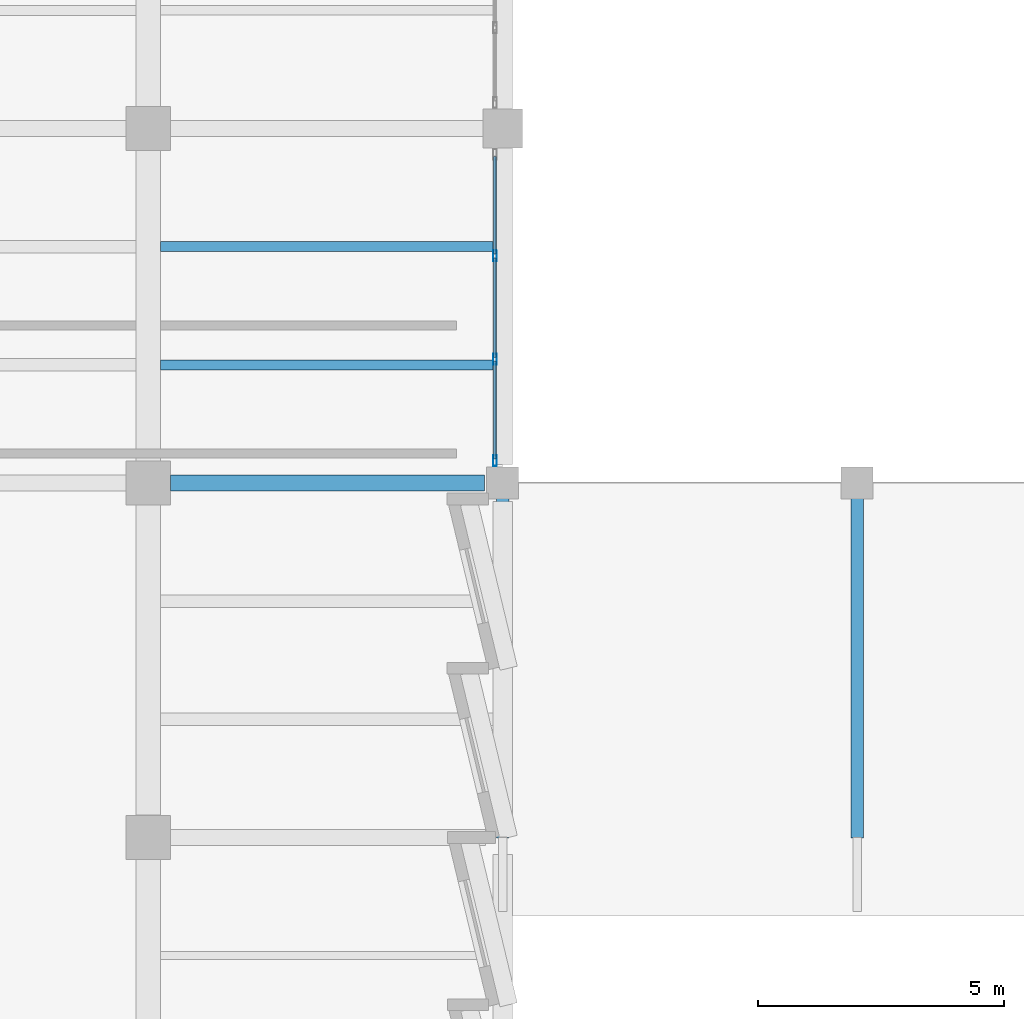
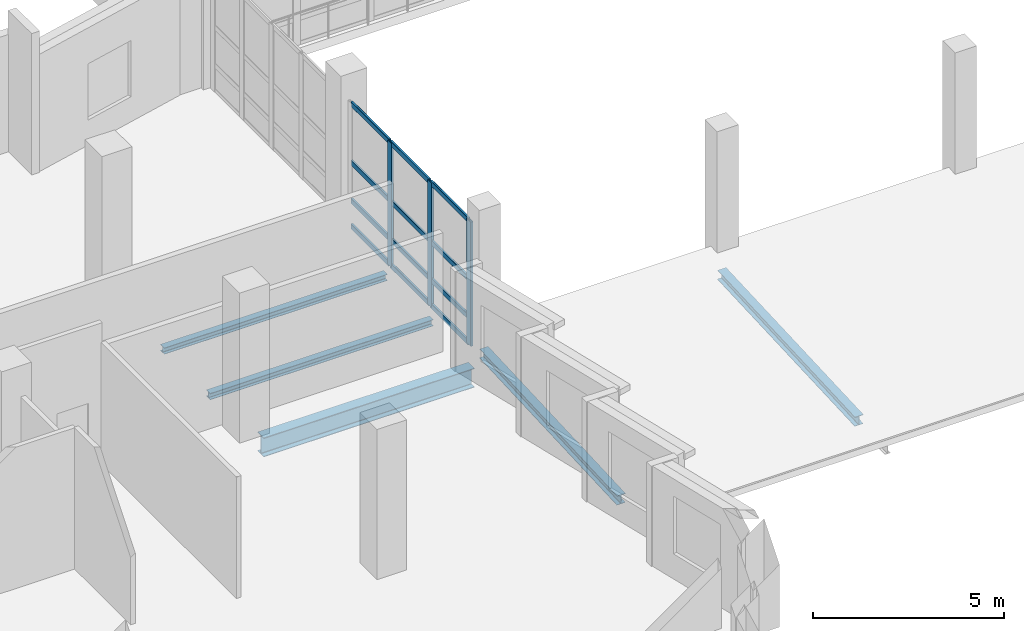
# One storey, part 13 of 127: 15 members, 5 beams, 1 element without a shape of its own.
"""IFC4 building model written with IfcOpenShell, lengths in metres."""

from ifc_helpers import new_model, si_unit, direction, frame, origin, origin_2d, place, context, subcontext, project, spatial, hollow_rectangle, i_section, extrude, material, material_profile, profile_set, type_object, element, aggregate, save


model = new_model("IFC4")

# Units and contexts
model_context = context("Model", 3, precision=1e-05, world=origin(), true_north=direction((0.0, 1.0)))
body_context = subcontext(model_context, "Body", "Model", "MODEL_VIEW")
ifc_project = project(units=[si_unit("LENGTHUNIT", "METRE"), si_unit("AREAUNIT", "SQUARE_METRE"), si_unit("VOLUMEUNIT", "CUBIC_METRE"), si_unit("PLANEANGLEUNIT", "RADIAN"), si_unit("MASSUNIT", "GRAM", prefix="KILO")], contexts=[model_context])

# Site, building, storey
site_placement = place(None, origin())
site = spatial("IfcSite", under=ifc_project, at=site_placement, CompositionType="ELEMENT")
building_placement = place(site_placement, origin())
building = spatial("IfcBuilding", under=site, at=building_placement, Name="Kalmorath City Hall", CompositionType="ELEMENT")
storey_placement = place(building_placement, frame((0.0, 0.0, 5.39990234375)))
storey = spatial("IfcBuildingStorey", under=building, at=storey_placement, Name="L01", CompositionType="ELEMENT", Elevation=5.39990234375)

# Curtain wall, members
ifc_material_1 = material(Name="Anodised aluminium and laminated glass", Category="aluminium")
curtain_wall_type = type_object("IfcCurtainWallType", Name="Unitised hurricane curtain wall 6295x3976 M2100", PredefinedType="NOTDEFINED", material=ifc_material_1)
curtain_wall_placement = place(storey_placement, origin())
curtain_wall = element("IfcCurtainWall", 1, at=curtain_wall_placement, inside=storey, type_object=curtain_wall_type, Name="L01 curtain wall CW-63X40M21 #81", PredefinedType="NOTDEFINED")
ifc_material_2 = material(Name="Anodised aluminium framing", Category="aluminium")
ifc_material_profile_1 = material_profile(ifc_material_2, hollow_rectangle(XDim=0.074951171875, YDim=0.219970703125, WallThickness=0.00390625, InnerFilletRadius=0.00390625, OuterFilletRadius=0.008056640625, at=origin_2d()), Name="ALU-MUL-220X75X4")
ifc_profile_set_1 = profile_set([ifc_material_profile_1], Name="Anodised aluminium framing")
member_type_1 = type_object("IfcMemberType", Name="Curtain-wall primary mullion 220x75", PredefinedType="MULLION", material=ifc_profile_set_1)
member_1_placement = place(storey_placement, frame((35.840087890625, 26.211669921875, 0.0), z_axis=(0.0, 0.0, 1.0), x_axis=(1.0, 0.0, 0.0)))
member_1 = element("IfcMember", 2, at=member_1_placement, type_object=member_type_1, Name="CW-63X40M21 mullion 2", PredefinedType="MULLION", context=body_context, shape_type="SweptSolid", body=[
    extrude(hollow_rectangle(XDim=0.074951171875, YDim=0.219970703125, WallThickness=0.00390625, InnerFilletRadius=0.00390625, OuterFilletRadius=0.008056640625, at=origin_2d()), origin(), (0.0, 0.0, 1.0), 3.97607421875),
])
member_2_placement = place(storey_placement, frame((35.840087890625, 24.11328125, 0.0), z_axis=(0.0, 0.0, 1.0), x_axis=(1.0, 0.0, 0.0)))
member_2 = element("IfcMember", 3, at=member_2_placement, type_object=member_type_1, Name="CW-63X40M21 mullion 3", PredefinedType="MULLION", context=body_context, shape_type="SweptSolid", body=[
    extrude(hollow_rectangle(XDim=0.074951171875, YDim=0.219970703125, WallThickness=0.00390625, InnerFilletRadius=0.00390625, OuterFilletRadius=0.008056640625, at=origin_2d()), origin(), (0.0, 0.0, 1.0), 3.97607421875),
])
member_3_placement = place(storey_placement, frame((35.840087890625, 22.052490234375, 0.0), z_axis=(0.0, 0.0, 1.0), x_axis=(1.0, 0.0, 0.0)))
member_3 = element("IfcMember", 4, at=member_3_placement, type_object=member_type_1, Name="CW-63X40M21 mullion 4", PredefinedType="MULLION", context=body_context, shape_type="SweptSolid", body=[
    extrude(hollow_rectangle(XDim=0.074951171875, YDim=0.219970703125, WallThickness=0.00390625, InnerFilletRadius=0.00390625, OuterFilletRadius=0.008056640625, at=origin_2d()), origin(), (0.0, 0.0, 1.0), 3.97607421875),
])
ifc_material_3 = material(Name="Anodised aluminium framing", Category="aluminium")
ifc_material_profile_2 = material_profile(ifc_material_3, hollow_rectangle(XDim=0.06494140625, YDim=0.159912109375, WallThickness=0.00390625, InnerFilletRadius=0.00390625, OuterFilletRadius=0.008056640625, at=origin_2d()), Name="ALU-TRN-160X65X4")
ifc_profile_set_2 = profile_set([ifc_material_profile_2], Name="Anodised aluminium framing")
member_type_2 = type_object("IfcMemberType", Name="Curtain-wall primary transom 160x65", PredefinedType="USERDEFINED", material=ifc_profile_set_2)
member_4_placement = place(storey_placement, frame((35.840087890625, 28.235107421875, 0.03271484375), z_axis=(0.0, -1.0, 0.0), x_axis=(1.0, 0.0, 0.0)))
member_4 = element("IfcMember", 5, at=member_4_placement, type_object=member_type_2, Name="CW-63X40M21 transom 1.1", ObjectType="TRANSOM", PredefinedType="USERDEFINED", context=body_context, shape_type="SweptSolid", body=[
    extrude(hollow_rectangle(XDim=0.06494140625, YDim=0.159912109375, WallThickness=0.00390625, InnerFilletRadius=0.00390625, OuterFilletRadius=0.008056640625, at=origin_2d()), origin(), (0.0, 0.0, 1.0), 1.98583984375),
])
member_5_placement = place(storey_placement, frame((35.840087890625, 28.235107421875, 0.85009765625), z_axis=(0.0, -1.0, 0.0), x_axis=(1.0, 0.0, 0.0)))
member_5 = element("IfcMember", 6, at=member_5_placement, type_object=member_type_2, Name="CW-63X40M21 transom 1.2", ObjectType="TRANSOM", PredefinedType="USERDEFINED", context=body_context, shape_type="SweptSolid", body=[
    extrude(hollow_rectangle(XDim=0.06494140625, YDim=0.159912109375, WallThickness=0.00390625, InnerFilletRadius=0.00390625, OuterFilletRadius=0.008056640625, at=origin_2d()), origin(), (0.0, 0.0, 1.0), 1.98583984375),
])
member_6_placement = place(storey_placement, frame((35.840087890625, 28.235107421875, 2.068115234375), z_axis=(0.0, -1.0, 0.0), x_axis=(1.0, 0.0, 0.0)))
member_6 = element("IfcMember", 7, at=member_6_placement, type_object=member_type_2, Name="CW-63X40M21 transom 1.3", ObjectType="TRANSOM", PredefinedType="USERDEFINED", context=body_context, shape_type="SweptSolid", body=[
    extrude(hollow_rectangle(XDim=0.06494140625, YDim=0.159912109375, WallThickness=0.00390625, InnerFilletRadius=0.00390625, OuterFilletRadius=0.008056640625, at=origin_2d()), origin(), (0.0, 0.0, 1.0), 1.98583984375),
])
member_7_placement = place(storey_placement, frame((35.840087890625, 28.235107421875, 3.943603515625), z_axis=(0.0, -1.0, 0.0), x_axis=(1.0, 0.0, 0.0)))
member_7 = element("IfcMember", 8, at=member_7_placement, type_object=member_type_2, Name="CW-63X40M21 transom 1.4", ObjectType="TRANSOM", PredefinedType="USERDEFINED", context=body_context, shape_type="SweptSolid", body=[
    extrude(hollow_rectangle(XDim=0.06494140625, YDim=0.159912109375, WallThickness=0.00390625, InnerFilletRadius=0.00390625, OuterFilletRadius=0.008056640625, at=origin_2d()), origin(), (0.0, 0.0, 1.0), 1.98583984375),
])
member_8_placement = place(storey_placement, frame((35.840087890625, 26.174072265625, 0.03271484375), z_axis=(0.0, -1.0, 0.0), x_axis=(1.0, 0.0, 0.0)))
member_8 = element("IfcMember", 9, at=member_8_placement, type_object=member_type_2, Name="CW-63X40M21 transom 2.1", ObjectType="TRANSOM", PredefinedType="USERDEFINED", context=body_context, shape_type="SweptSolid", body=[
    extrude(hollow_rectangle(XDim=0.06494140625, YDim=0.159912109375, WallThickness=0.00390625, InnerFilletRadius=0.00390625, OuterFilletRadius=0.008056640625, at=origin_2d()), origin(), (0.0, 0.0, 1.0), 2.023193359375),
])
member_9_placement = place(storey_placement, frame((35.840087890625, 26.174072265625, 0.85009765625), z_axis=(0.0, -1.0, 0.0), x_axis=(1.0, 0.0, 0.0)))
member_9 = element("IfcMember", 10, at=member_9_placement, type_object=member_type_2, Name="CW-63X40M21 transom 2.2", ObjectType="TRANSOM", PredefinedType="USERDEFINED", context=body_context, shape_type="SweptSolid", body=[
    extrude(hollow_rectangle(XDim=0.06494140625, YDim=0.159912109375, WallThickness=0.00390625, InnerFilletRadius=0.00390625, OuterFilletRadius=0.008056640625, at=origin_2d()), origin(), (0.0, 0.0, 1.0), 2.023193359375),
])
member_10_placement = place(storey_placement, frame((35.840087890625, 26.174072265625, 2.068115234375), z_axis=(0.0, -1.0, 0.0), x_axis=(1.0, 0.0, 0.0)))
member_10 = element("IfcMember", 11, at=member_10_placement, type_object=member_type_2, Name="CW-63X40M21 transom 2.3", ObjectType="TRANSOM", PredefinedType="USERDEFINED", context=body_context, shape_type="SweptSolid", body=[
    extrude(hollow_rectangle(XDim=0.06494140625, YDim=0.159912109375, WallThickness=0.00390625, InnerFilletRadius=0.00390625, OuterFilletRadius=0.008056640625, at=origin_2d()), origin(), (0.0, 0.0, 1.0), 2.023193359375),
])
member_11_placement = place(storey_placement, frame((35.840087890625, 26.174072265625, 3.943603515625), z_axis=(0.0, -1.0, 0.0), x_axis=(1.0, 0.0, 0.0)))
member_11 = element("IfcMember", 12, at=member_11_placement, type_object=member_type_2, Name="CW-63X40M21 transom 2.4", ObjectType="TRANSOM", PredefinedType="USERDEFINED", context=body_context, shape_type="SweptSolid", body=[
    extrude(hollow_rectangle(XDim=0.06494140625, YDim=0.159912109375, WallThickness=0.00390625, InnerFilletRadius=0.00390625, OuterFilletRadius=0.008056640625, at=origin_2d()), origin(), (0.0, 0.0, 1.0), 2.023193359375),
])
member_12_placement = place(storey_placement, frame((35.840087890625, 24.075927734375, 0.03271484375), z_axis=(0.0, -1.0, 0.0), x_axis=(1.0, 0.0, 0.0)))
member_12 = element("IfcMember", 13, at=member_12_placement, type_object=member_type_2, Name="CW-63X40M21 transom 3.1", ObjectType="TRANSOM", PredefinedType="USERDEFINED", context=body_context, shape_type="SweptSolid", body=[
    extrude(hollow_rectangle(XDim=0.06494140625, YDim=0.159912109375, WallThickness=0.00390625, InnerFilletRadius=0.00390625, OuterFilletRadius=0.008056640625, at=origin_2d()), origin(), (0.0, 0.0, 1.0), 1.98583984375),
])
member_13_placement = place(storey_placement, frame((35.840087890625, 24.075927734375, 0.85009765625), z_axis=(0.0, -1.0, 0.0), x_axis=(1.0, 0.0, 0.0)))
member_13 = element("IfcMember", 14, at=member_13_placement, type_object=member_type_2, Name="CW-63X40M21 transom 3.2", ObjectType="TRANSOM", PredefinedType="USERDEFINED", context=body_context, shape_type="SweptSolid", body=[
    extrude(hollow_rectangle(XDim=0.06494140625, YDim=0.159912109375, WallThickness=0.00390625, InnerFilletRadius=0.00390625, OuterFilletRadius=0.008056640625, at=origin_2d()), origin(), (0.0, 0.0, 1.0), 1.98583984375),
])
member_14_placement = place(storey_placement, frame((35.840087890625, 24.075927734375, 2.068115234375), z_axis=(0.0, -1.0, 0.0), x_axis=(1.0, 0.0, 0.0)))
member_14 = element("IfcMember", 15, at=member_14_placement, type_object=member_type_2, Name="CW-63X40M21 transom 3.3", ObjectType="TRANSOM", PredefinedType="USERDEFINED", context=body_context, shape_type="SweptSolid", body=[
    extrude(hollow_rectangle(XDim=0.06494140625, YDim=0.159912109375, WallThickness=0.00390625, InnerFilletRadius=0.00390625, OuterFilletRadius=0.008056640625, at=origin_2d()), origin(), (0.0, 0.0, 1.0), 1.98583984375),
])
member_15_placement = place(storey_placement, frame((35.840087890625, 24.075927734375, 3.943603515625), z_axis=(0.0, -1.0, 0.0), x_axis=(1.0, 0.0, 0.0)))
member_15 = element("IfcMember", 16, at=member_15_placement, type_object=member_type_2, Name="CW-63X40M21 transom 3.4", ObjectType="TRANSOM", PredefinedType="USERDEFINED", context=body_context, shape_type="SweptSolid", body=[
    extrude(hollow_rectangle(XDim=0.06494140625, YDim=0.159912109375, WallThickness=0.00390625, InnerFilletRadius=0.00390625, OuterFilletRadius=0.008056640625, at=origin_2d()), origin(), (0.0, 0.0, 1.0), 1.98583984375),
])
aggregate(curtain_wall, [member_1, member_2, member_3, member_4, member_5, member_6, member_7, member_8, member_9, member_10, member_11, member_12, member_13, member_14, member_15])

# Beams
ifc_material_4 = material(Name="Steel ASTM A992 Grade 50", Category="steel")
ifc_material_profile_3 = material_profile(ifc_material_4, i_section(OverallWidth=0.25390625, OverallDepth=0.305908203125, WebThickness=0.0087890625, FlangeThickness=0.0146484375, FilletRadius=0.014892578125, at=origin_2d()), Name="W12X53")
ifc_profile_set_3 = profile_set([ifc_material_profile_3], Name="Steel ASTM A992 Grade 50")
beam_type_1 = type_object("IfcBeamType", Name="Steel canopy beam W12X53", PredefinedType="BEAM", material=ifc_profile_set_3)
for number, where, z_axis, x_axis, name in (
    (17, (36.0, 14.39990234375, -0.3798828125), (0.0, 0.998886377864, 0.047180548093), (-1.0, 0.0, 0.0), "Storm arcade canopy beam SJ11-1"),
    (18, (43.199951171875, 14.39990234375, -0.3798828125), (0.0, 0.998886377864, 0.047180548093), (-1.0, 0.0, 0.0), "Storm arcade canopy beam SJ11-2"),
):
    element("IfcBeam", number, at=place(storey_placement, frame(where, z_axis=z_axis, x_axis=x_axis)), inside=storey, type_object=beam_type_1, Name=name, PredefinedType="BEAM", context=body_context, shape_type="SweptSolid", body=[
        extrude(i_section(OverallWidth=0.25390625, OverallDepth=0.305908203125, WebThickness=0.0087890625, FlangeThickness=0.0146484375, FilletRadius=0.014892578125, at=origin_2d()), origin(), (0.0, 0.0, 1.0), 7.208251953125),
    ])
ifc_material_5 = material(Name="Steel ASTM A992 Grade 50", Category="steel")
ifc_material_profile_4 = material_profile(ifc_material_5, i_section(OverallWidth=0.202880859375, OverallDepth=0.202880859375, WebThickness=0.007080078125, FlangeThickness=0.010986328125, FilletRadius=0.010986328125, at=origin_2d()), Name="W8X31")
ifc_profile_set_4 = profile_set([ifc_material_profile_4], Name="Steel ASTM A992 Grade 50")
beam_type_2 = type_object("IfcBeamType", Name="Steel edge trimmer W8X31", PredefinedType="LINTEL", material=ifc_profile_set_4)
for number, where, z_axis, x_axis, name in (
    (19, (29.050048828125, 24.0, -0.42529296875), (1.0, 0.0, 0.0), (0.0, 1.0, 0.0), "L01 joist SJ16 5.4.1"),
    (20, (29.050048828125, 26.39990234375, -0.42529296875), (1.0, 0.0, 0.0), (0.0, 1.0, 0.0), "L01 joist SJ16 5.4.2"),
):
    element("IfcBeam", number, at=place(storey_placement, frame(where, z_axis=z_axis, x_axis=x_axis)), inside=storey, type_object=beam_type_2, Name=name, PredefinedType="LINTEL", context=body_context, shape_type="SweptSolid", body=[
        extrude(i_section(OverallWidth=0.202880859375, OverallDepth=0.202880859375, WebThickness=0.007080078125, FlangeThickness=0.010986328125, FilletRadius=0.010986328125, at=origin_2d()), origin(), (0.0, 0.0, 1.0), 6.75),
    ])
ifc_material_6 = material(Name="Steel ASTM A992 Grade 50", Category="steel")
ifc_material_profile_5 = material_profile(ifc_material_6, i_section(OverallWidth=0.323974609375, OverallDepth=0.611083984375, WebThickness=0.0126953125, FlangeThickness=0.01904296875, FilletRadius=0.01611328125, at=origin_2d()), Name="W24X104")
ifc_profile_set_5 = profile_set([ifc_material_profile_5], Name="Steel ASTM A992 Grade 50")
beam_type_3 = type_object("IfcBeamType", Name="Steel floor girder W24X104", PredefinedType="BEAM", material=ifc_profile_set_5)
beam_placement = place(storey_placement, frame((29.25, 21.60009765625, -0.62939453125), z_axis=(1.0, 0.0, 0.0), x_axis=(0.0, 1.0, 0.0)))
element("IfcBeam", 21, at=beam_placement, inside=storey, type_object=beam_type_3, Name="L01 girder SG7 X5-6/4", PredefinedType="BEAM", context=body_context, shape_type="SweptSolid", body=[
    extrude(i_section(OverallWidth=0.323974609375, OverallDepth=0.611083984375, WebThickness=0.0126953125, FlangeThickness=0.01904296875, FilletRadius=0.01611328125, at=origin_2d()), origin(), (0.0, 0.0, 1.0), 6.375),
])

save(model, "model.ifc")
